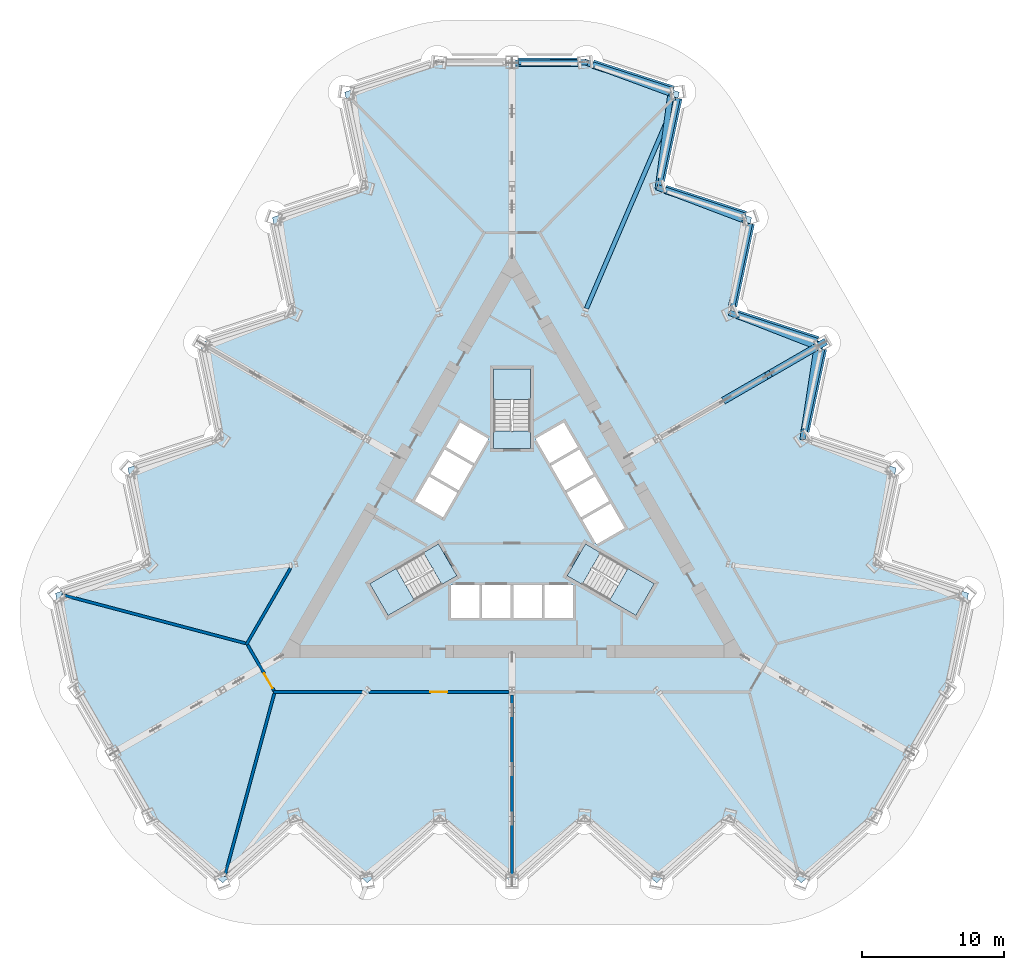
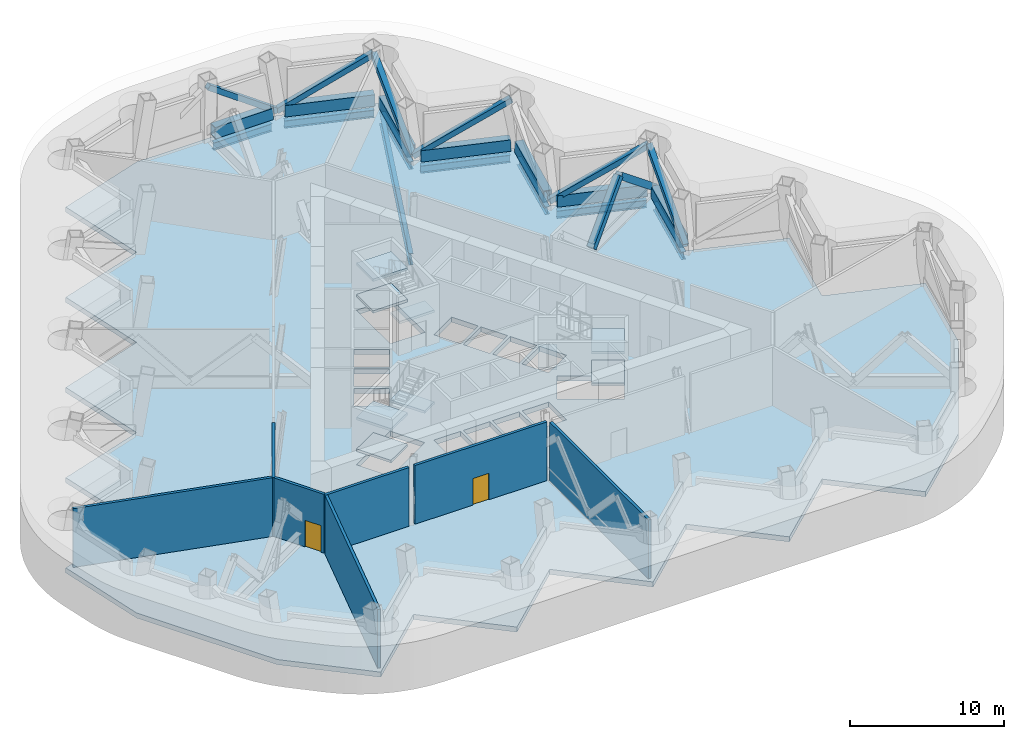
# One storey, part 4 of 13: 15 members, 10 slabs, 8 beams, 7 walls, 2 doors, 2 openings, 3 elements without a shape of their own.
"""IFC4 building model written with IfcOpenShell, lengths in metres."""

from ifc_helpers import new_model, si_unit, direction, frame, frame_2d, origin, origin_2d, place, context, subcontext, project, spatial, polyline, rectangle, hollow_rectangle, i_section, outline, extrude, material, layer, layer_set, material_profile, profile_set, type_object, element, fill, aggregate, save


model = new_model("IFC4")

# Units and contexts
model_context = context("Model", 3, precision=1e-05, world=origin(), true_north=direction((0.0, 1.0)))
body_context = subcontext(model_context, "Body", "Model", "MODEL_VIEW")
ifc_project = project(units=[si_unit("LENGTHUNIT", "METRE"), si_unit("AREAUNIT", "SQUARE_METRE"), si_unit("VOLUMEUNIT", "CUBIC_METRE"), si_unit("PLANEANGLEUNIT", "RADIAN"), si_unit("MASSUNIT", "GRAM", prefix="KILO")], contexts=[model_context])

# Site, building, storey
site_placement = place(None, origin())
site = spatial("IfcSite", under=ifc_project, at=site_placement, CompositionType="ELEMENT")
building_placement = place(site_placement, origin())
building = spatial("IfcBuilding", under=site, at=building_placement, Name="Cormorant Prow Tower", CompositionType="ELEMENT")
storey_placement = place(building_placement, frame((0.0, 0.0, 164.199951171875)))
storey = spatial("IfcBuildingStorey", under=building, at=storey_placement, Name="L34", CompositionType="ELEMENT", Elevation=164.199951171875)

# Members
ifc_material_1 = material(Name="Structural steel ASTM A572 Gr 50", Category="steel")
ifc_material_profile_1 = material_profile(ifc_material_1, hollow_rectangle(XDim=0.60009765625, YDim=0.89990234375, WallThickness=0.06005859375, at=origin_2d()), Name="Box 900x600x60")
ifc_profile_set_1 = profile_set([ifc_material_profile_1], Name="Structural steel ASTM A572 Gr 50")
member_type_1 = type_object("IfcMemberType", Name="Belt truss bottom chord 900x600x60", PredefinedType="CHORD", material=ifc_profile_set_1)
member_1_placement = place(storey_placement, frame((20.6630859375, 6.427001953125, 0.449951171875), z_axis=(0.207912620873, 0.978147403044, 0.0), x_axis=(-0.978147403044, 0.207912620873, 0.0)))
element("IfcMember", 1, at=member_1_placement, inside=storey, type_object=member_type_1, Name="Belt truss bottom chord ENE04-ENE05 L34", PredefinedType="CHORD", context=body_context, shape_type="SweptSolid", body=[
    extrude(hollow_rectangle(XDim=0.60009765625, YDim=0.89990234375, WallThickness=0.06005859375, at=origin_2d()), origin(), (0.0, 0.0, 1.0), 5.962890625),
])
for number, where, z_axis, x_axis, name in (
    (2, (21.568359375, 12.838623046875, 0.449951171875), (-0.951059340519, 0.309008302174, 0.0), (-0.309008302174, -0.951059340519, 0.0), "Belt truss bottom chord ENE05-ENE06 L34"),
    (3, (15.56298828125, 15.260498046875, 0.449951171875), (0.207920947907, 0.978145633033, 0.0), (-0.978145633033, 0.207920947907, 0.0), "Belt truss bottom chord ENE06-ENE07 L34"),
):
    element("IfcMember", number, at=place(storey_placement, frame(where, z_axis=z_axis, x_axis=x_axis)), inside=storey, type_object=member_type_1, Name=name, PredefinedType="CHORD", context=body_context, shape_type="SweptSolid", body=[
        extrude(hollow_rectangle(XDim=0.60009765625, YDim=0.89990234375, WallThickness=0.06005859375, at=origin_2d()), origin(), (0.0, 0.0, 1.0), 5.962646484375),
    ])
member_2_placement = place(storey_placement, frame((16.468505859375, 21.671875, 0.449951171875), z_axis=(-0.95104730696, 0.309045336358, 0.0), x_axis=(-0.309045336358, -0.95104730696, 0.0)))
element("IfcMember", 4, at=member_2_placement, inside=storey, type_object=member_type_1, Name="Belt truss bottom chord ENE07-ENE08 L34", PredefinedType="CHORD", context=body_context, shape_type="SweptSolid", body=[
    extrude(hollow_rectangle(XDim=0.60009765625, YDim=0.89990234375, WallThickness=0.06005859375, at=origin_2d()), origin(), (0.0, 0.0, 1.0), 5.962890625),
])
member_3_placement = place(storey_placement, frame((10.463134765625, 24.09375, 0.449951171875), z_axis=(0.207920947907, 0.978145633033, 0.0), x_axis=(-0.978145633033, 0.207920947907, 0.0)))
element("IfcMember", 5, at=member_3_placement, inside=storey, type_object=member_type_1, Name="Belt truss bottom chord ENE08-ENE09 L34", PredefinedType="CHORD", context=body_context, shape_type="SweptSolid", body=[
    extrude(hollow_rectangle(XDim=0.60009765625, YDim=0.89990234375, WallThickness=0.06005859375, at=origin_2d()), origin(), (0.0, 0.0, 1.0), 5.962646484375),
])
member_4_placement = place(storey_placement, frame((11.368408203125, 30.50537109375, 0.449951171875), z_axis=(-0.951055430656, 0.309020335608, 0.0), x_axis=(-0.309020335608, -0.951055430656, 0.0)))
element("IfcMember", 6, at=member_4_placement, inside=storey, type_object=member_type_1, Name="Belt truss bottom chord ENE09-N00 L34", PredefinedType="CHORD", context=body_context, shape_type="SweptSolid", body=[
    extrude(hollow_rectangle(XDim=0.60009765625, YDim=0.89990234375, WallThickness=0.06005859375, at=origin_2d()), origin(), (0.0, 0.0, 1.0), 5.96240234375),
])
member_5_placement = place(storey_placement, frame((4.819580078125, 32.487060546875, 0.449951171875), z_axis=(-1.0, 0.0, 0.0), x_axis=(0.0, -1.0, 0.0)))
element("IfcMember", 7, at=member_5_placement, inside=storey, type_object=member_type_1, Name="Belt truss bottom chord N00-N01 L34", PredefinedType="CHORD", context=body_context, shape_type="SweptSolid", body=[
    extrude(hollow_rectangle(XDim=0.60009765625, YDim=0.89990234375, WallThickness=0.06005859375, at=origin_2d()), origin(), (0.0, 0.0, 1.0), 4.36962890625),
])
ifc_material_2 = material(Name="Structural steel ASTM A500 Gr C", Category="steel")
ifc_material_profile_2 = material_profile(ifc_material_2, hollow_rectangle(XDim=0.406494140625, YDim=0.406494140625, WallThickness=0.014892578125, at=origin_2d()), Name="HSS16x16x5/8")
ifc_profile_set_2 = profile_set([ifc_material_profile_2], Name="Structural steel ASTM A500 Gr C")
member_type_2 = type_object("IfcMemberType", Name="Belt truss diagonal HSS16x16x5/8", PredefinedType="BRACE", material=ifc_profile_set_2)
member_6_placement = place(storey_placement, frame((15.4091796875, 14.792236328125, 0.449951171875), z_axis=(0.808242279609, -0.315273418658, 0.497340013412), x_axis=(0.36340423421, 0.931631559447, 0.0)))
element("IfcMember", 8, at=member_6_placement, inside=storey, type_object=member_type_2, Name="Belt truss diagonal ENE05-ENE06 L34", PredefinedType="BRACE", context=body_context, shape_type="SweptSolid", body=[
    extrude(hollow_rectangle(XDim=0.406494140625, YDim=0.406494140625, WallThickness=0.014892578125, at=origin_2d()), origin(), (0.0, 0.0, 1.0), 7.5400390625),
])
member_7_placement = place(storey_placement, frame((10.303466796875, 23.6357421875, 0.449951171875), z_axis=(0.808814767454, -0.30679631348, 0.501691831688), x_axis=(0.354658787029, 0.93499579934, 0.0)))
element("IfcMember", 9, at=member_7_placement, inside=storey, type_object=member_type_2, Name="Belt truss diagonal ENE07-ENE08 L34", PredefinedType="BRACE", context=body_context, shape_type="SweptSolid", body=[
    extrude(hollow_rectangle(XDim=0.406494140625, YDim=0.406494140625, WallThickness=0.014892578125, at=origin_2d()), origin(), (0.0, 0.0, 1.0), 7.474609375),
])
member_8_placement = place(storey_placement, frame((5.19775390625, 32.47900390625, 0.449951171875), z_axis=(0.809326182085, -0.298089564358, 0.506096574393), x_axis=(0.345620379561, 0.938374420598, 0.0)))
element("IfcMember", 10, at=member_8_placement, inside=storey, type_object=member_type_2, Name="Belt truss diagonal ENE09-N00 L34", PredefinedType="BRACE", context=body_context, shape_type="SweptSolid", body=[
    extrude(hollow_rectangle(XDim=0.406494140625, YDim=0.406494140625, WallThickness=0.014892578125, at=origin_2d()), origin(), (0.0, 0.0, 1.0), 7.40966796875),
])
ifc_material_3 = material(Name="Structural steel ASTM A500 Gr C", Category="steel")
ifc_material_profile_3 = material_profile(ifc_material_3, hollow_rectangle(XDim=0.406494140625, YDim=0.406494140625, WallThickness=0.014892578125, at=origin_2d()), Name="HSS16x16x5/8")
ifc_profile_set_3 = profile_set([ifc_material_profile_3], Name="Structural steel ASTM A500 Gr C")
member_type_3 = type_object("IfcMemberType", Name="Belt truss strut HSS16x16x5/8", PredefinedType="STRUT", material=ifc_profile_set_3)
member_9_placement = place(storey_placement, frame((20.51513671875, 5.94873046875, 0.449951171875), z_axis=(0.131070923115, 0.857594977671, 0.497344214189), x_axis=(-0.988521368355, 0.151081118293, 0.0)))
element("IfcMember", 11, at=member_9_placement, inside=storey, type_object=member_type_3, Name="Belt truss strut ENE04-ENE05 L34", PredefinedType="STRUT", context=body_context, shape_type="SweptSolid", body=[
    extrude(hollow_rectangle(XDim=0.406494140625, YDim=0.406494140625, WallThickness=0.014892578125, at=origin_2d()), origin(), (0.0, 0.0, 1.0), 7.5400390625),
])
member_10_placement = place(storey_placement, frame((10.303466796875, 23.6357421875, 0.449951171875), z_axis=(0.116137679161, 0.86466888526, 0.488732808743), x_axis=(-0.991100030398, 0.133119231314, 0.0)))
element("IfcMember", 12, at=member_10_placement, inside=storey, type_object=member_type_3, Name="Belt truss strut ENE08-ENE09 L34", PredefinedType="STRUT", context=body_context, shape_type="SweptSolid", body=[
    extrude(hollow_rectangle(XDim=0.406494140625, YDim=0.406494140625, WallThickness=0.014892578125, at=origin_2d()), origin(), (0.0, 0.0, 1.0), 7.6728515625),
])
member_11_placement = place(storey_placement, frame((5.19775390625, 32.47900390625, 0.449951171875), z_axis=(-0.810928162718, -0.010208020085, 0.585056673525), x_axis=(0.012587072285, -0.999920779668, 0.0)))
element("IfcMember", 13, at=member_11_placement, inside=storey, type_object=member_type_3, Name="Belt truss strut N00-N01 L34", PredefinedType="STRUT", context=body_context, shape_type="SweptSolid", body=[
    extrude(hollow_rectangle(XDim=0.406494140625, YDim=0.406494140625, WallThickness=0.014892578125, at=origin_2d()), origin(), (0.0, 0.0, 1.0), 6.40966796875),
])
ifc_material_4 = material(Name="Structural steel ASTM A500 Gr C", Category="steel")
ifc_material_profile_4 = material_profile(ifc_material_4, hollow_rectangle(XDim=0.508056640625, YDim=0.508056640625, WallThickness=0.014892578125, at=origin_2d()), Name="HSS20x20x5/8")
ifc_profile_set_4 = profile_set([ifc_material_profile_4], Name="Structural steel ASTM A500 Gr C")
member_type_4 = type_object("IfcMemberType", Name="Outrigger diagonal HSS20x20x5/8", PredefinedType="BRACE", material=ifc_profile_set_4)
member_12_placement = place(storey_placement, frame((15.05810546875, 8.69384765625, 0.500244140625), z_axis=(0.599214804071, 0.345947903729, 0.721984533413), x_axis=(-0.499990325971, 0.866030989016, 0.0)))
element("IfcMember", 14, at=member_12_placement, inside=storey, type_object=member_type_4, Name="Outrigger diagonal 6.3 L34", PredefinedType="BRACE", context=body_context, shape_type="SweptSolid", body=[
    extrude(hollow_rectangle(XDim=0.508056640625, YDim=0.508056640625, WallThickness=0.014892578125, at=origin_2d()), origin(), (0.0, 0.0, 1.0), 5.054931640625),
])
ifc_material_5 = material(Name="Structural steel ASTM A500 Gr C", Category="steel")
ifc_material_profile_5 = material_profile(ifc_material_5, hollow_rectangle(XDim=0.508056640625, YDim=0.508056640625, WallThickness=0.014892578125, at=origin_2d()), Name="HSS20x20x5/8")
ifc_profile_set_5 = profile_set([ifc_material_profile_5], Name="Structural steel ASTM A500 Gr C")
member_type_5 = type_object("IfcMemberType", Name="Outrigger strut HSS20x20x5/8", PredefinedType="STRUT", material=ifc_profile_set_5)
member_13_placement = place(storey_placement, frame((18.087158203125, 10.442626953125, 4.14990234375), z_axis=(0.673446201652, 0.388791949043, -0.628737651043), x_axis=(-0.499978398512, 0.86603787505, 0.0)))
element("IfcMember", 15, at=member_13_placement, inside=storey, type_object=member_type_5, Name="Outrigger strut 6.4 L34", PredefinedType="STRUT", context=body_context, shape_type="SweptSolid", body=[
    extrude(hollow_rectangle(XDim=0.508056640625, YDim=0.508056640625, WallThickness=0.014892578125, at=origin_2d()), origin(), (0.0, 0.0, 1.0), 5.8046875),
])

# Beams
ifc_material_6 = material(Name="Structural steel ASTM A992 Gr 50", Category="steel")
ifc_material_profile_6 = material_profile(ifc_material_6, i_section(OverallWidth=0.3046875, OverallDepth=0.914794921875, WebThickness=0.0166015625, FlangeThickness=0.02587890625, at=origin_2d()), Name="W36x160")
ifc_profile_set_6 = profile_set([ifc_material_profile_6], Name="Structural steel ASTM A992 Gr 50")
beam_type_1 = type_object("IfcBeamType", Name="Radial floor beam W36x160", PredefinedType="BEAM", material=ifc_profile_set_6)
beam_1_placement = place(storey_placement, frame((5.25, 15.107666015625, -0.857421875), z_axis=(0.394273140268, 0.918993302948, 0.0), x_axis=(-0.918993302948, 0.394273140268, 0.0)))
element("IfcBeam", 16, at=beam_1_placement, inside=storey, type_object=beam_type_1, Name="Radial floor beam FB1 12 L34", PredefinedType="BEAM", context=body_context, shape_type="SweptSolid", body=[
    extrude(i_section(OverallWidth=0.3046875, OverallDepth=0.914794921875, WebThickness=0.0166015625, FlangeThickness=0.02587890625, at=origin_2d()), origin(), (0.0, 0.0, 1.0), 16.153564453125),
])
ifc_material_7 = material(Name="Structural steel ASTM A992 Gr 50", Category="steel")
ifc_material_profile_7 = material_profile(ifc_material_7, i_section(OverallWidth=0.32373046875, OverallDepth=0.611083984375, WebThickness=0.0126953125, FlangeThickness=0.01904296875, at=origin_2d()), Name="W24x104")
ifc_profile_set_7 = profile_set([ifc_material_profile_7], Name="Structural steel ASTM A992 Gr 50")
beam_type_2 = type_object("IfcBeamType", Name="Spandrel beam W24x104", PredefinedType="SPANDREL", material=ifc_profile_set_7)
beam_2_placement = place(storey_placement, frame((20.6630859375, 6.427001953125, -0.70556640625), z_axis=(0.207912620873, 0.978147403044, 0.0), x_axis=(-0.978147403044, 0.207912620873, 0.0)))
element("IfcBeam", 17, at=beam_2_placement, inside=storey, type_object=beam_type_2, Name="Spandrel beam SB1 ENE04-ENE05 L34", PredefinedType="SPANDREL", context=body_context, shape_type="SweptSolid", body=[
    extrude(i_section(OverallWidth=0.32373046875, OverallDepth=0.611083984375, WebThickness=0.0126953125, FlangeThickness=0.01904296875, at=origin_2d()), origin(), (0.0, 0.0, 1.0), 5.962890625),
])
for number, where, z_axis, x_axis, name in (
    (18, (21.568359375, 12.838623046875, -0.70556640625), (-0.951059340519, 0.309008302174, 0.0), (-0.309008302174, -0.951059340519, 0.0), "Spandrel beam SB1 ENE05-ENE06 L34"),
    (19, (15.56298828125, 15.260498046875, -0.70556640625), (0.207920947907, 0.978145633033, 0.0), (-0.978145633033, 0.207920947907, 0.0), "Spandrel beam SB1 ENE06-ENE07 L34"),
):
    element("IfcBeam", number, at=place(storey_placement, frame(where, z_axis=z_axis, x_axis=x_axis)), inside=storey, type_object=beam_type_2, Name=name, PredefinedType="SPANDREL", context=body_context, shape_type="SweptSolid", body=[
        extrude(i_section(OverallWidth=0.32373046875, OverallDepth=0.611083984375, WebThickness=0.0126953125, FlangeThickness=0.01904296875, at=origin_2d()), origin(), (0.0, 0.0, 1.0), 5.962646484375),
    ])
beam_3_placement = place(storey_placement, frame((16.468505859375, 21.671875, -0.70556640625), z_axis=(-0.95104730696, 0.309045336358, 0.0), x_axis=(-0.309045336358, -0.95104730696, 0.0)))
element("IfcBeam", 20, at=beam_3_placement, inside=storey, type_object=beam_type_2, Name="Spandrel beam SB1 ENE07-ENE08 L34", PredefinedType="SPANDREL", context=body_context, shape_type="SweptSolid", body=[
    extrude(i_section(OverallWidth=0.32373046875, OverallDepth=0.611083984375, WebThickness=0.0126953125, FlangeThickness=0.01904296875, at=origin_2d()), origin(), (0.0, 0.0, 1.0), 5.962890625),
])
beam_4_placement = place(storey_placement, frame((10.463134765625, 24.09375, -0.70556640625), z_axis=(0.207920947907, 0.978145633033, 0.0), x_axis=(-0.978145633033, 0.207920947907, 0.0)))
element("IfcBeam", 21, at=beam_4_placement, inside=storey, type_object=beam_type_2, Name="Spandrel beam SB1 ENE08-ENE09 L34", PredefinedType="SPANDREL", context=body_context, shape_type="SweptSolid", body=[
    extrude(i_section(OverallWidth=0.32373046875, OverallDepth=0.611083984375, WebThickness=0.0126953125, FlangeThickness=0.01904296875, at=origin_2d()), origin(), (0.0, 0.0, 1.0), 5.962646484375),
])
beam_5_placement = place(storey_placement, frame((11.368408203125, 30.50537109375, -0.70556640625), z_axis=(-0.951055430656, 0.309020335608, 0.0), x_axis=(-0.309020335608, -0.951055430656, 0.0)))
element("IfcBeam", 22, at=beam_5_placement, inside=storey, type_object=beam_type_2, Name="Spandrel beam SB1 ENE09-N00 L34", PredefinedType="SPANDREL", context=body_context, shape_type="SweptSolid", body=[
    extrude(i_section(OverallWidth=0.32373046875, OverallDepth=0.611083984375, WebThickness=0.0126953125, FlangeThickness=0.01904296875, at=origin_2d()), origin(), (0.0, 0.0, 1.0), 5.96240234375),
])
beam_6_placement = place(storey_placement, frame((4.819580078125, 32.487060546875, -0.70556640625), z_axis=(-1.0, 0.0, 0.0), x_axis=(0.0, -1.0, 0.0)))
element("IfcBeam", 23, at=beam_6_placement, inside=storey, type_object=beam_type_2, Name="Spandrel beam SB1 N00-N01 L34", PredefinedType="SPANDREL", context=body_context, shape_type="SweptSolid", body=[
    extrude(i_section(OverallWidth=0.32373046875, OverallDepth=0.611083984375, WebThickness=0.0126953125, FlangeThickness=0.01904296875, at=origin_2d()), origin(), (0.0, 0.0, 1.0), 4.36962890625),
])

# Slab
ifc_material_8 = material(Name="Concrete C40/50", Category="concrete")
ifc_layer_1 = layer(ifc_material_8, 0.39990234375)
ifc_layer_set_1 = layer_set([ifc_layer_1], Name="Concrete C40/50")
slab_type_1 = type_object("IfcSlabType", Name="Post-tensioned flat slab 400", PredefinedType="FLOOR", material=ifc_layer_set_1)
slab_1_placement = place(storey_placement, frame((0.0, 0.0, -0.39990234375)))
element("IfcSlab", 24, at=slab_1_placement, inside=storey, type_object=slab_type_1, Name="Floor slab L34", PredefinedType="FLOOR", context=body_context, shape_type="SweptSolid", body=[
    extrude(outline(polyline([(5.269775390625, 32.487060546875), (0.0, 32.487060546875), (-5.269775390625, 32.487060546875), (-11.79638671875, 30.3662109375), (-10.36962890625, 23.653564453125), (-16.896240234375, 21.532958984375), (-15.469482421875, 14.8203125), (-21.996337890625, 12.699462890625), (-20.569580078125, 5.98681640625), (-27.09619140625, 3.8662109375), (-25.66943359375, -2.846435546875), (-32.1962890625, -4.967041015625), (-30.769287109375, -11.679931640625), (-28.134521484375, -16.243408203125), (-25.499755859375, -20.80712890625), (-20.399658203125, -25.399169921875), (-15.2998046875, -20.80712890625), (-10.199951171875, -25.399169921875), (-5.099853515625, -20.80712890625), (0.0, -25.399169921875), (5.099853515625, -20.80712890625), (10.199951171875, -25.399169921875), (15.2998046875, -20.80712890625), (20.399658203125, -25.399169921875), (25.499755859375, -20.80712890625), (28.134521484375, -16.243408203125), (30.769287109375, -11.679931640625), (32.1962890625, -4.967041015625), (25.66943359375, -2.846435546875), (27.09619140625, 3.8662109375), (20.569580078125, 5.98681640625), (21.996337890625, 12.699462890625), (15.469482421875, 14.8203125), (16.896240234375, 21.532958984375), (10.36962890625, 23.653564453125), (11.79638671875, 30.3662109375), (5.269775390625, 32.487060546875)]), holes=[polyline([(-4.300048828125, -4.39990234375), (-2.300048828125, -4.39990234375), (-2.300048828125, -6.699951171875), (-4.300048828125, -6.699951171875), (-4.300048828125, -4.39990234375)]), polyline([(-0.10009765625, -4.39990234375), (-0.10009765625, -6.699951171875), (-2.10009765625, -6.699951171875), (-2.10009765625, -4.39990234375), (-0.10009765625, -4.39990234375)]), polyline([(2.10009765625, -6.699951171875), (0.10009765625, -6.699951171875), (0.10009765625, -4.39990234375), (2.10009765625, -4.39990234375), (2.10009765625, -6.699951171875)]), polyline([(2.300048828125, -6.699951171875), (2.300048828125, -4.39990234375), (4.300048828125, -4.39990234375), (4.300048828125, -6.699951171875), (2.300048828125, -6.699951171875)]), polyline([(5.96044921875, -1.52392578125), (4.96044921875, 0.2080078125), (6.952392578125, 1.358154296875), (7.952392578125, -0.373779296875), (5.96044921875, -1.52392578125)]), polyline([(3.860595703125, 2.11328125), (5.852294921875, 3.263427734375), (6.852294921875, 1.53125), (4.860595703125, 0.38134765625), (3.860595703125, 2.11328125)]), polyline([(4.75244140625, 5.168701171875), (5.75244140625, 3.4365234375), (3.760498046875, 2.28662109375), (2.760498046875, 4.018798828125), (4.75244140625, 5.168701171875)]), polyline([(4.65234375, 5.341796875), (2.660400390625, 4.19189453125), (1.660400390625, 5.923828125), (3.65234375, 7.073974609375), (4.65234375, 5.341796875)]), polyline([(-1.660400390625, 5.923828125), (-2.660400390625, 4.19189453125), (-4.65234375, 5.341796875), (-3.65234375, 7.073974609375), (-1.660400390625, 5.923828125)]), polyline([(-3.760498046875, 2.28662109375), (-5.75244140625, 3.4365234375), (-4.75244140625, 5.168701171875), (-2.760498046875, 4.018798828125), (-3.760498046875, 2.28662109375)]), polyline([(-6.852294921875, 1.53125), (-5.852294921875, 3.263427734375), (-3.860595703125, 2.11328125), (-4.860595703125, 0.38134765625), (-6.852294921875, 1.53125)]), polyline([(-4.947509765625, -4.3505859375), (-8.738037109375, -6.5390625), (-10.031982421875, -4.2978515625), (-6.241455078125, -2.109375), (-4.947509765625, -4.3505859375)]), polyline([(10.031982421875, -4.2978515625), (8.738037109375, -6.5390625), (4.947509765625, -4.3505859375), (6.241455078125, -2.109375), (10.031982421875, -4.2978515625)]), polyline([(1.2939453125, 10.8369140625), (1.2939453125, 6.459716796875), (-1.2939453125, 6.459716796875), (-1.2939453125, 10.8369140625), (1.2939453125, 10.8369140625)])]), origin(), (0.0, 0.0, 1.0), 0.39990234375),
])

# Stair, slabs
ifc_material_9 = material(Name="Exit stair 36 risers")
stair_type = type_object("IfcStairType", Name="Exit stair 36 risers", PredefinedType="HALF_TURN_STAIR", material=ifc_material_9)
stair_1_placement = place(storey_placement, origin())
stair_1 = element("IfcStair", 25, at=stair_1_placement, inside=storey, type_object=stair_type, Name="L34 Exit stair ST1", PredefinedType="HALF_TURN_STAIR")
ifc_material_10 = material(Name="Concrete 5000 psi", Category="concrete")
ifc_layer_2 = layer(ifc_material_10, 0.199951171875)
ifc_layer_set_2 = layer_set([ifc_layer_2], Name="Concrete 5000 psi")
slab_type_2 = type_object("IfcSlabType", Name="Stair landing 200", PredefinedType="LANDING", material=ifc_layer_set_2)
slab_2_placement = place(storey_placement, frame((0.0, 0.0, 1.050048828125)))
slab_2 = element("IfcSlab", 26, at=slab_2_placement, type_object=slab_type_2, Name="ST1 landing 1", PredefinedType="LANDING", context=body_context, shape_type="SweptSolid", body=[
    extrude(outline(polyline([(-8.17431640625, -3.225341796875), (-10.031982421875, -4.2978515625), (-8.738037109375, -6.5390625), (-6.88037109375, -5.466552734375), (-8.17431640625, -3.225341796875)])), origin(), (0.0, 0.0, 1.0), 0.199951171875),
])
slab_3_placement = place(storey_placement, frame((0.0, 0.0, 2.300048828125)))
slab_3 = element("IfcSlab", 27, at=slab_3_placement, type_object=slab_type_2, Name="ST1 landing 2", PredefinedType="LANDING", context=body_context, shape_type="SweptSolid", body=[
    extrude(outline(polyline([(-5.18212890625, -1.497802734375), (-6.241455078125, -2.109375), (-4.947265625, -4.3505859375), (-3.88818359375, -3.739013671875), (-5.18212890625, -1.497802734375)])), origin(), (0.0, 0.0, 1.0), 0.199951171875),
])
slab_4_placement = place(storey_placement, frame((0.0, 0.0, 3.550048828125)))
slab_4 = element("IfcSlab", 28, at=slab_4_placement, type_object=slab_type_2, Name="ST1 landing 3", PredefinedType="LANDING", context=body_context, shape_type="SweptSolid", body=[
    extrude(outline(polyline([(-8.17431640625, -3.225341796875), (-10.031982421875, -4.2978515625), (-8.738037109375, -6.5390625), (-6.88037109375, -5.466552734375), (-8.17431640625, -3.225341796875)])), origin(), (0.0, 0.0, 1.0), 0.199951171875),
])
aggregate(stair_1, [slab_2, slab_3, slab_4])

stair_2_placement = place(storey_placement, origin())
stair_2 = element("IfcStair", 29, at=stair_2_placement, inside=storey, type_object=stair_type, Name="L34 Exit stair ST2", PredefinedType="HALF_TURN_STAIR")
slab_5_placement = place(storey_placement, frame((0.0, 0.0, 1.050048828125)))
slab_5 = element("IfcSlab", 30, at=slab_5_placement, type_object=slab_type_2, Name="ST2 landing 1", PredefinedType="LANDING", context=body_context, shape_type="SweptSolid", body=[
    extrude(outline(polyline([(6.88037109375, -5.466552734375), (8.738037109375, -6.5390625), (10.031982421875, -4.2978515625), (8.17431640625, -3.225341796875), (6.88037109375, -5.466552734375)])), origin(), (0.0, 0.0, 1.0), 0.199951171875),
])
slab_6_placement = place(storey_placement, frame((0.0, 0.0, 2.300048828125)))
slab_6 = element("IfcSlab", 31, at=slab_6_placement, type_object=slab_type_2, Name="ST2 landing 2", PredefinedType="LANDING", context=body_context, shape_type="SweptSolid", body=[
    extrude(outline(polyline([(3.88818359375, -3.739013671875), (4.947265625, -4.3505859375), (6.241455078125, -2.109375), (5.18212890625, -1.497802734375), (3.88818359375, -3.739013671875)])), origin(), (0.0, 0.0, 1.0), 0.199951171875),
])
slab_7_placement = place(storey_placement, frame((0.0, 0.0, 3.550048828125)))
slab_7 = element("IfcSlab", 32, at=slab_7_placement, type_object=slab_type_2, Name="ST2 landing 3", PredefinedType="LANDING", context=body_context, shape_type="SweptSolid", body=[
    extrude(outline(polyline([(6.88037109375, -5.466552734375), (8.738037109375, -6.5390625), (10.031982421875, -4.2978515625), (8.17431640625, -3.225341796875), (6.88037109375, -5.466552734375)])), origin(), (0.0, 0.0, 1.0), 0.199951171875),
])
aggregate(stair_2, [slab_5, slab_6, slab_7])

stair_3_placement = place(storey_placement, origin())
stair_3 = element("IfcStair", 33, at=stair_3_placement, inside=storey, type_object=stair_type, Name="L34 Exit stair ST3", PredefinedType="HALF_TURN_STAIR")
slab_8_placement = place(storey_placement, frame((0.0, 0.0, 1.050048828125)))
slab_8 = element("IfcSlab", 34, at=slab_8_placement, type_object=slab_type_2, Name="ST3 landing 1", PredefinedType="LANDING", context=body_context, shape_type="SweptSolid", body=[
    extrude(outline(polyline([(1.2939453125, 8.69189453125), (1.2939453125, 10.8369140625), (-1.2939453125, 10.8369140625), (-1.2939453125, 8.69189453125), (1.2939453125, 8.69189453125)])), origin(), (0.0, 0.0, 1.0), 0.199951171875),
])
slab_9_placement = place(storey_placement, frame((0.0, 0.0, 2.300048828125)))
slab_9 = element("IfcSlab", 35, at=slab_9_placement, type_object=slab_type_2, Name="ST3 landing 2", PredefinedType="LANDING", context=body_context, shape_type="SweptSolid", body=[
    extrude(outline(polyline([(1.2939453125, 5.23681640625), (1.2939453125, 6.459716796875), (-1.2939453125, 6.459716796875), (-1.2939453125, 5.23681640625), (1.2939453125, 5.23681640625)])), origin(), (0.0, 0.0, 1.0), 0.199951171875),
])
slab_10_placement = place(storey_placement, frame((0.0, 0.0, 3.550048828125)))
slab_10 = element("IfcSlab", 36, at=slab_10_placement, type_object=slab_type_2, Name="ST3 landing 3", PredefinedType="LANDING", context=body_context, shape_type="SweptSolid", body=[
    extrude(outline(polyline([(1.2939453125, 8.69189453125), (1.2939453125, 10.8369140625), (-1.2939453125, 10.8369140625), (-1.2939453125, 8.69189453125), (1.2939453125, 8.69189453125)])), origin(), (0.0, 0.0, 1.0), 0.199951171875),
])
aggregate(stair_3, [slab_8, slab_9, slab_10])

# Wall, opening, door
ifc_material_11 = material(Name="Gypsum board corridor wall")
ifc_layer_3 = layer(ifc_material_11, 0.199951171875)
ifc_layer_set_3 = layer_set([ifc_layer_3], Name="Gypsum board corridor wall")
wall_type_1 = type_object("IfcWallType", Name="Corridor wall 200", PredefinedType="PARTITIONING", material=ifc_layer_set_3)
wall_1_placement = place(storey_placement, frame((-10.10107421875, -11.92626953125, 0.0), z_axis=(0.0, 0.0, 1.0), x_axis=(1.0, 0.0, 0.0)))
wall_1 = element("IfcWall", 37, at=wall_1_placement, inside=storey, type_object=wall_type_1, Name="Corridor wall", PredefinedType="PARTITIONING", context=body_context, shape_type="SweptSolid", body=[
    extrude(rectangle(XDim=9.873779296875, YDim=0.199951171875, at=frame_2d((4.93701171875, 0.0))), origin(), (0.0, 0.0, 1.0), 4.650146484375),
])
opening_1_placement = place(wall_1_placement, frame((4.3369140625, 0.0, 0.0)))
opening_1 = element("IfcOpeningElement", 38, at=opening_1_placement, cuts=wall_1, Name="Opening L34-F01", PredefinedType="OPENING", context=body_context, shape_type="SweptSolid", body=[
    extrude(rectangle(XDim=1.199951171875, YDim=2.10009765625, at=frame_2d((0.60009765625, 1.050048828125))), frame((0.0, 0.10986328125, 0.0), z_axis=(0.0, -1.0, 0.0), x_axis=(1.0, 0.0, 0.0)), (0.0, 0.0, 1.0), 0.219970703125),
])
ifc_material_12 = material(Name="Timber door leaf", Category="wood")
door_type = type_object("IfcDoorType", Name="Plant room door 1200x2100", OperationType="NOTDEFINED", PredefinedType="DOOR", material=ifc_material_12)
door_1_placement = place(opening_1_placement, origin())
door_1 = element("IfcDoor", 39, at=door_1_placement, inside=storey, type_object=door_type, Name="Generator room door", OperationType="SINGLE_SWING_RIGHT", OverallHeight=2.10009765625, OverallWidth=1.199951171875, PredefinedType="DOOR", context=body_context, shape_type="SweptSolid", body=[
    extrude(rectangle(XDim=1.199951171875, YDim=2.10009765625, at=frame_2d((0.60009765625, 1.050048828125))), frame((0.0, 0.02490234375, 0.0), z_axis=(0.0, -1.0, 0.0), x_axis=(1.0, 0.0, 0.0)), (0.0, 0.0, 1.0), 0.050048828125),
])
fill(opening_1, door_1)

# Walls
wall_2_placement = place(storey_placement, frame((-16.830810546875, -11.92626953125, 0.0), z_axis=(0.0, 0.0, 1.0), x_axis=(1.0, 0.0, 0.0)))
element("IfcWall", 40, at=wall_2_placement, inside=storey, type_object=wall_type_1, Name="Corridor wall", PredefinedType="PARTITIONING", context=body_context, shape_type="SweptSolid", body=[
    extrude(rectangle(XDim=6.27490234375, YDim=0.199951171875, at=frame_2d((3.137451171875, 0.0))), origin(), (0.0, 0.0, 1.0), 4.650146484375),
])
wall_3_placement = place(storey_placement, frame((-18.743896484375, -8.61279296875, 0.0), z_axis=(0.0, 0.0, 1.0), x_axis=(0.499997920671, 0.866026604282, 0.0)))
element("IfcWall", 41, at=wall_3_placement, inside=storey, type_object=wall_type_1, Name="Corridor wall", PredefinedType="PARTITIONING", context=body_context, shape_type="SweptSolid", body=[
    extrude(rectangle(XDim=6.23974609375, YDim=0.199951171875, at=frame_2d((3.119873046875, 0.0))), origin(), (0.0, 0.0, 1.0), 4.650146484375),
])

# Wall, opening, door
wall_4_placement = place(storey_placement, frame((-18.643798828125, -8.61279296875, 0.0), z_axis=(0.0, 0.0, 1.0), x_axis=(0.499958791762, -0.866049194065, 0.0)))
wall_4 = element("IfcWall", 42, at=wall_4_placement, inside=storey, type_object=wall_type_1, Name="Corridor wall", PredefinedType="PARTITIONING", context=body_context, shape_type="SweptSolid", body=[
    extrude(rectangle(XDim=3.725830078125, YDim=0.199951171875, at=frame_2d((1.86279296875, 0.0))), origin(), (0.0, 0.0, 1.0), 4.650146484375),
])
opening_2_placement = place(wall_4_placement, frame((2.324951171875, 0.0, 0.0)))
opening_2 = element("IfcOpeningElement", 43, at=opening_2_placement, cuts=wall_4, Name="Opening L34-F03", PredefinedType="OPENING", context=body_context, shape_type="SweptSolid", body=[
    extrude(rectangle(XDim=1.199951171875, YDim=2.10009765625, at=frame_2d((0.60009765625, 1.050048828125))), frame((0.0, 0.10986328125, 0.0), z_axis=(0.0, -1.0, 0.0), x_axis=(1.0, 0.0, 0.0)), (0.0, 0.0, 1.0), 0.219970703125),
])
door_2_placement = place(opening_2_placement, origin())
door_2 = element("IfcDoor", 44, at=door_2_placement, inside=storey, type_object=door_type, Name="Air handling plant room door", OperationType="SINGLE_SWING_RIGHT", OverallHeight=2.10009765625, OverallWidth=1.199951171875, PredefinedType="DOOR", context=body_context, shape_type="SweptSolid", body=[
    extrude(rectangle(XDim=1.199951171875, YDim=2.10009765625, at=frame_2d((0.60009765625, 1.050048828125))), frame((0.0, 0.02490234375, 0.0), z_axis=(0.0, -1.0, 0.0), x_axis=(1.0, 0.0, 0.0)), (0.0, 0.0, 1.0), 0.050048828125),
])
fill(opening_2, door_2)

# Walls
ifc_material_13 = material(Name="Gypsum board demising wall")
ifc_layer_4 = layer(ifc_material_13, 0.199951171875)
ifc_layer_set_4 = layer_set([ifc_layer_4], Name="Gypsum board demising wall")
wall_type_2 = type_object("IfcWallType", Name="Demising wall 200", PredefinedType="PARTITIONING", material=ifc_layer_set_4)
wall_5_placement = place(storey_placement, frame((-31.736083984375, -5.0751953125, 0.0), z_axis=(0.0, 0.0, 1.0), x_axis=(0.966727906646, -0.255806869555, 0.0)))
element("IfcWall", 45, at=wall_5_placement, inside=storey, type_object=wall_type_2, Name="Demising wall", PredefinedType="PARTITIONING", context=body_context, shape_type="SweptSolid", body=[
    extrude(rectangle(XDim=13.39111328125, YDim=0.199951171875, at=frame_2d((6.695556640625, 0.0))), origin(), (0.0, 0.0, 1.0), 4.650146484375),
])
wall_6_placement = place(storey_placement, frame((-20.261474609375, -24.939208984375, 0.0), z_axis=(0.0, 0.0, 1.0), x_axis=(0.261845290604, 0.965109860994, 0.0)))
element("IfcWall", 46, at=wall_6_placement, inside=storey, type_object=wall_type_2, Name="Demising wall", PredefinedType="PARTITIONING", context=body_context, shape_type="SweptSolid", body=[
    extrude(rectangle(XDim=13.383544921875, YDim=0.199951171875, at=frame_2d((6.69189453125, 0.0))), origin(), (0.0, 0.0, 1.0), 4.650146484375),
])
wall_7_placement = place(storey_placement, frame((0.0, -24.939208984375, 0.0), z_axis=(0.0, 0.0, 1.0), x_axis=(0.0, 1.0, 0.0)))
element("IfcWall", 47, at=wall_7_placement, inside=storey, type_object=wall_type_2, Name="Demising wall", PredefinedType="PARTITIONING", context=body_context, shape_type="SweptSolid", body=[
    extrude(rectangle(XDim=12.785400390625, YDim=0.199951171875, at=frame_2d((6.392578125, 0.0))), origin(), (0.0, 0.0, 1.0), 4.650146484375),
])

save(model, "model.ifc")
